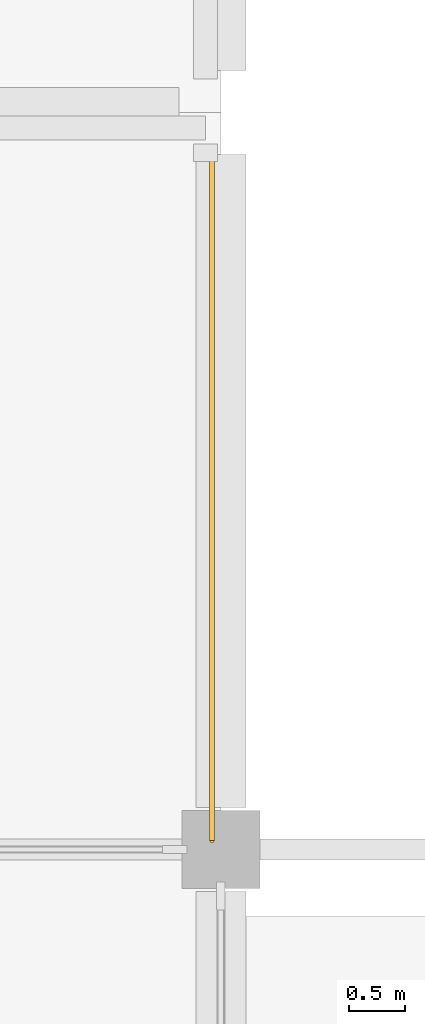
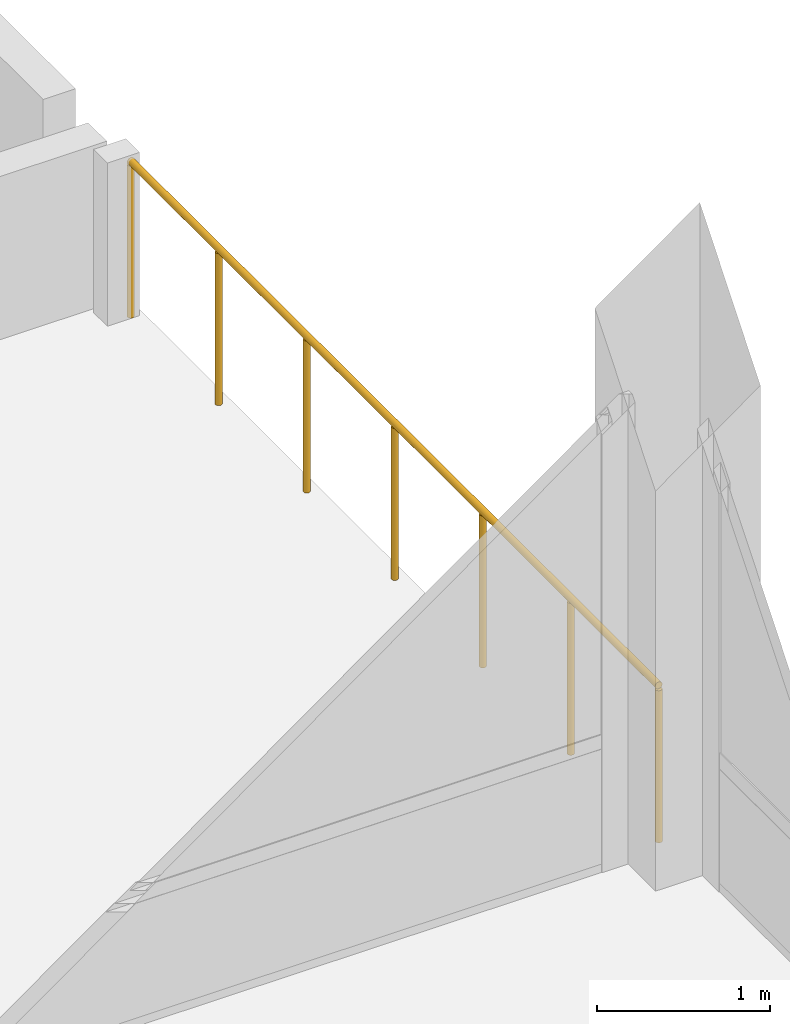
# One storey, part 13 of 13: 1 railing.
"""IFC4 building model written with IfcOpenShell, lengths in metres."""

from ifc_helpers import new_model, si_unit, direction, frame, origin, origin_2d, place, context, subcontext, project, spatial, circle, extrude, material, type_object, element, save


model = new_model("IFC4")

# Units and contexts
model_context = context("Model", 3, precision=1e-05, world=origin(), true_north=direction((0.0, 1.0)))
body_context = subcontext(model_context, "Body", "Model", "MODEL_VIEW")
ifc_project = project(units=[si_unit("LENGTHUNIT", "METRE"), si_unit("AREAUNIT", "SQUARE_METRE"), si_unit("VOLUMEUNIT", "CUBIC_METRE"), si_unit("PLANEANGLEUNIT", "RADIAN"), si_unit("MASSUNIT", "GRAM", prefix="KILO")], contexts=[model_context])

# Site, building, storey
site_placement = place(None, origin())
site = spatial("IfcSite", under=ifc_project, at=site_placement, CompositionType="ELEMENT")
building_placement = place(site_placement, origin())
building = spatial("IfcBuilding", under=site, at=building_placement, Name="Rusizi Kubbe Research Institute", CompositionType="ELEMENT")
storey_placement = place(building_placement, frame((0.0, 0.0, 35.39990234375)))
storey = spatial("IfcBuildingStorey", under=building, at=storey_placement, Name="L08", CompositionType="ELEMENT", Elevation=35.39990234375)

# Railing
ifc_material = material(Name="Architectural Painted Steel Balustrade", Category="steel")
railing_type = type_object("IfcRailingType", Name="GR-EXT", PredefinedType="GUARDRAIL", material=ifc_material)
railing_placement = place(storey_placement, frame((26.320068359375, 66.080078125, 0.0)))
element("IfcRailing", 1, at=railing_placement, inside=storey, type_object=railing_type, Name="Roof Terrace Guard L08-01", PredefinedType="GUARDRAIL", context=body_context, shape_type="SweptSolid", body=[
    extrude(circle(Radius=0.02392578125, at=origin_2d()), frame((0.0, 0.0, 1.09619140625), z_axis=(0.0, 1.0, 0.0), x_axis=(-1.0, 0.0, 0.0)), (0.0, 0.0, 1.0), 6.099853515625),
    extrude(circle(Radius=0.02099609375, at=origin_2d()), origin(), (0.0, 0.0, 1.0), 1.072021484375),
    extrude(circle(Radius=0.02099609375, at=origin_2d()), frame((0.0, 1.0166015625, 0.0)), (0.0, 0.0, 1.0), 1.072021484375),
    extrude(circle(Radius=0.02099609375, at=origin_2d()), frame((0.0, 2.033203125, 0.0)), (0.0, 0.0, 1.0), 1.072021484375),
    extrude(circle(Radius=0.02099609375, at=origin_2d()), frame((0.0, 3.0498046875, 0.0)), (0.0, 0.0, 1.0), 1.072021484375),
    extrude(circle(Radius=0.02099609375, at=origin_2d()), frame((0.0, 4.066650390625, 0.0)), (0.0, 0.0, 1.0), 1.072021484375),
    extrude(circle(Radius=0.02099609375, at=origin_2d()), frame((0.0, 5.083251953125, 0.0)), (0.0, 0.0, 1.0), 1.072021484375),
    extrude(circle(Radius=0.02099609375, at=origin_2d()), frame((0.0, 6.099853515625, 0.0)), (0.0, 0.0, 1.0), 1.072021484375),
])

save(model, "model.ifc")
